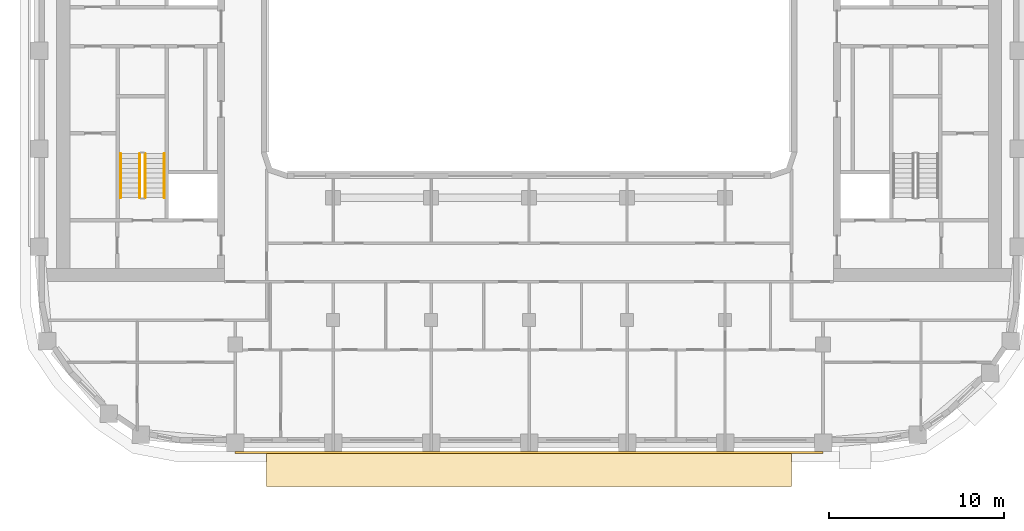
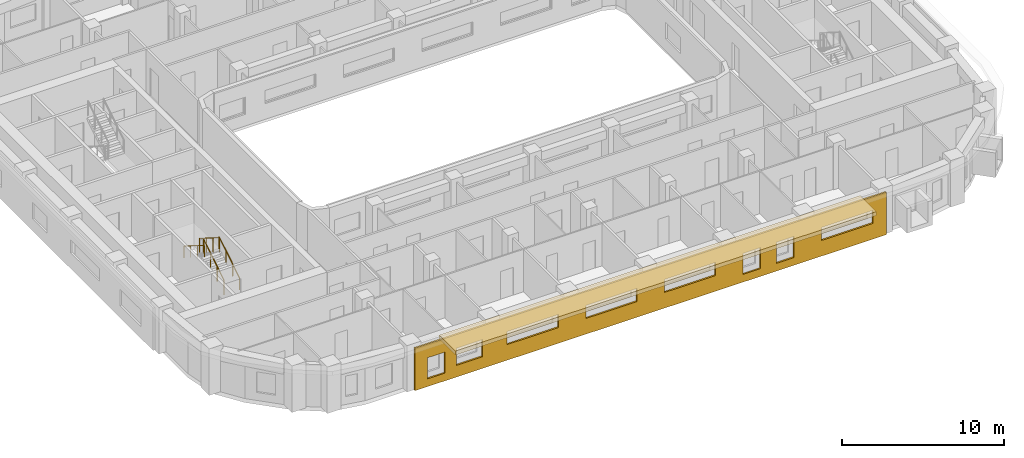
# One storey, part 12 of 22: 4 railings, 2 coverings.
"""IFC4 building model written with IfcOpenShell, lengths in metres."""

from ifc_helpers import new_model, si_unit, direction, frame, origin, origin_2d, place, context, subcontext, project, spatial, polyline, circle, outline, extrude, material, layer, layer_set, type_object, element, save


model = new_model("IFC4")

# Units and contexts
model_context = context("Model", 3, precision=1e-05, world=origin(), true_north=direction((0.0, 1.0)))
body_context = subcontext(model_context, "Body", "Model", "MODEL_VIEW")
ifc_project = project(units=[si_unit("LENGTHUNIT", "METRE"), si_unit("AREAUNIT", "SQUARE_METRE"), si_unit("VOLUMEUNIT", "CUBIC_METRE"), si_unit("PLANEANGLEUNIT", "RADIAN"), si_unit("MASSUNIT", "GRAM", prefix="KILO")], contexts=[model_context])

# Site, building, storey
site_placement = place(None, origin())
site = spatial("IfcSite", under=ifc_project, at=site_placement, CompositionType="ELEMENT")
building_placement = place(site_placement, origin())
building = spatial("IfcBuilding", under=site, at=building_placement, Name="Kiln Ring Residences", CompositionType="ELEMENT")
storey_placement = place(building_placement, frame((0.0, 0.0, 164.10009765625)))
storey = spatial("IfcBuildingStorey", under=building, at=storey_placement, Name="L42", CompositionType="ELEMENT", Elevation=164.10009765625)

# Railings
ifc_material_1 = material(Name="Stainless steel", Category="steel")
railing_type_1 = type_object("IfcRailingType", Name="CORE-STAIR-GUARD", PredefinedType="GUARDRAIL", material=ifc_material_1)
railing_1_placement = place(storey_placement, frame((-21.949951171875, -8.39990234375, 0.1748046875)))
element("IfcRailing", 1, at=railing_1_placement, inside=storey, type_object=railing_type_1, Name="L42 W-STS stair guard 1", PredefinedType="GUARDRAIL", context=body_context, shape_type="SweptSolid", body=[
    extrude(circle(Radius=0.02392578125, at=origin_2d()), frame((0.0, 0.0, 1.076171875), z_axis=(0.0, 0.847970611238, 0.530043245855), x_axis=(-1.0, 0.0, 0.0)), (0.0, 0.0, 1.0), 2.971923828125),
    extrude(circle(Radius=0.02099609375, at=origin_2d()), origin(), (0.0, 0.0, 1.0), 1.052001953125),
    extrude(circle(Radius=0.02099609375, at=origin_2d()), frame((0.0, 0.840087890625, 0.525146484375)), (0.0, 0.0, 1.0), 1.052001953125),
    extrude(circle(Radius=0.02099609375, at=origin_2d()), frame((0.0, 1.679931640625, 1.050048828125)), (0.0, 0.0, 1.0), 1.052001953125),
    extrude(circle(Radius=0.02099609375, at=origin_2d()), frame((0.0, 2.52001953125, 1.5751953125)), (0.0, 0.0, 1.0), 1.052001953125),
])
railing_2_placement = place(storey_placement, frame((-22.25, -5.8798828125, 1.9248046875)))
element("IfcRailing", 2, at=railing_2_placement, inside=storey, type_object=railing_type_1, Name="L42 W-STS stair guard 3", PredefinedType="GUARDRAIL", context=body_context, shape_type="SweptSolid", body=[
    extrude(circle(Radius=0.02392578125, at=origin_2d()), frame((0.0, 0.0, 1.076171875), z_axis=(0.0, -0.847970611238, 0.530043245855), x_axis=(1.0, 0.0, 0.0)), (0.0, 0.0, 1.0), 2.971923828125),
    extrude(circle(Radius=0.02099609375, at=origin_2d()), origin(), (0.0, 0.0, 1.0), 1.052001953125),
    extrude(circle(Radius=0.02099609375, at=origin_2d()), frame((0.0, -0.840087890625, 0.525146484375)), (0.0, 0.0, 1.0), 1.052001953125),
    extrude(circle(Radius=0.02099609375, at=origin_2d()), frame((0.0, -1.679931640625, 1.050048828125)), (0.0, 0.0, 1.0), 1.052001953125),
    extrude(circle(Radius=0.02099609375, at=origin_2d()), frame((0.0, -2.52001953125, 1.5751953125)), (0.0, 0.0, 1.0), 1.052001953125),
])
ifc_material_2 = material(Name="Stainless steel", Category="steel")
railing_type_2 = type_object("IfcRailingType", Name="CORE-STAIR-HANDRAIL", PredefinedType="HANDRAIL", material=ifc_material_2)
railing_3_placement = place(storey_placement, frame((-20.85009765625, -8.39990234375, 0.1748046875)))
element("IfcRailing", 3, at=railing_3_placement, inside=storey, type_object=railing_type_2, Name="L42 W-STS stair handrail 1", PredefinedType="HANDRAIL", context=body_context, shape_type="SweptSolid", body=[
    extrude(circle(Radius=0.02392578125, at=origin_2d()), frame((0.0, 0.0, 0.8759765625), z_axis=(0.0, 0.847970611238, 0.530043245855), x_axis=(-1.0, 0.0, 0.0)), (0.0, 0.0, 1.0), 2.971923828125),
    extrude(circle(Radius=0.02099609375, at=origin_2d()), origin(), (0.0, 0.0, 1.0), 0.851806640625),
    extrude(circle(Radius=0.02099609375, at=origin_2d()), frame((0.0, 0.840087890625, 0.525146484375)), (0.0, 0.0, 1.0), 0.851806640625),
    extrude(circle(Radius=0.02099609375, at=origin_2d()), frame((0.0, 1.679931640625, 1.050048828125)), (0.0, 0.0, 1.0), 0.851806640625),
    extrude(circle(Radius=0.02099609375, at=origin_2d()), frame((0.0, 2.52001953125, 1.5751953125)), (0.0, 0.0, 1.0), 0.851806640625),
])
railing_4_placement = place(storey_placement, frame((-23.35009765625, -5.8798828125, 1.9248046875)))
element("IfcRailing", 4, at=railing_4_placement, inside=storey, type_object=railing_type_2, Name="L42 W-STS stair handrail 2", PredefinedType="HANDRAIL", context=body_context, shape_type="SweptSolid", body=[
    extrude(circle(Radius=0.02392578125, at=origin_2d()), frame((0.0, 0.0, 0.8759765625), z_axis=(0.0, -0.847970611238, 0.530043245855), x_axis=(1.0, 0.0, 0.0)), (0.0, 0.0, 1.0), 2.971923828125),
    extrude(circle(Radius=0.02099609375, at=origin_2d()), origin(), (0.0, 0.0, 1.0), 0.851806640625),
    extrude(circle(Radius=0.02099609375, at=origin_2d()), frame((0.0, -0.840087890625, 0.525146484375)), (0.0, 0.0, 1.0), 0.851806640625),
    extrude(circle(Radius=0.02099609375, at=origin_2d()), frame((0.0, -1.679931640625, 1.050048828125)), (0.0, 0.0, 1.0), 0.851806640625),
    extrude(circle(Radius=0.02099609375, at=origin_2d()), frame((0.0, -2.52001953125, 1.5751953125)), (0.0, 0.0, 1.0), 0.851806640625),
])

# Coverings
ifc_material_3 = material(Name="Brick masonry, dark clay brick", Category="masonry")
ifc_layer_1 = layer(ifc_material_3, 0.1201171875)
ifc_layer_set_1 = layer_set([ifc_layer_1], Name="RAINSCREEN PANEL 120")
covering_type_1 = type_object("IfcCoveringType", Name="RAINSCREEN PANEL 120", PredefinedType="CLADDING", material=ifc_layer_set_1)
covering_1_placement = place(storey_placement, frame((-16.800048828125, -22.9599609375, 0.0), z_axis=(0.0, 0.0, 1.0), x_axis=(1.0, 0.0, 0.0)))
element("IfcCovering", 5, at=covering_1_placement, inside=storey, type_object=covering_type_1, Name="RAINSCREEN L42", PredefinedType="CLADDING", context=body_context, shape_type="SweptSolid", body=[
    extrude(outline(polyline([(0.0, 0.0), (33.60009765625, 0.0), (33.60009765625, 3.199951171875), (0.0, 3.199951171875), (0.0, 0.0)]), holes=[polyline([(0.892578125, 0.579833984375), (2.132568359375, 0.579833984375), (2.132568359375, 2.169921875), (0.892578125, 2.169921875), (0.892578125, 0.579833984375)]), polyline([(23.392578125, 0.579833984375), (24.632568359375, 0.579833984375), (24.632568359375, 2.169921875), (23.392578125, 2.169921875), (23.392578125, 0.579833984375)]), polyline([(25.767578125, 0.579833984375), (27.007568359375, 0.579833984375), (27.007568359375, 2.169921875), (25.767578125, 2.169921875), (25.767578125, 0.579833984375)]), polyline([(2.967529296875, 0.8798828125), (4.8076171875, 0.8798828125), (4.8076171875, 2.169921875), (2.967529296875, 2.169921875), (2.967529296875, 0.8798828125)]), polyline([(6.580078125, 1.179931640625), (10.219970703125, 1.179931640625), (10.219970703125, 2.169921875), (6.580078125, 2.169921875), (6.580078125, 1.179931640625)]), polyline([(12.179931640625, 1.179931640625), (15.820068359375, 1.179931640625), (15.820068359375, 2.169921875), (12.179931640625, 2.169921875), (12.179931640625, 1.179931640625)]), polyline([(17.780029296875, 1.179931640625), (21.419921875, 1.179931640625), (21.419921875, 2.169921875), (17.780029296875, 2.169921875), (17.780029296875, 1.179931640625)]), polyline([(28.97998046875, 1.179931640625), (32.6201171875, 1.179931640625), (32.6201171875, 2.169921875), (28.97998046875, 2.169921875), (28.97998046875, 1.179931640625)])]), frame((0.0, 0.06005859375, 0.0), z_axis=(0.0, -1.0, 0.0), x_axis=(1.0, 0.0, 0.0)), (0.0, 0.0, 1.0), 0.1201171875),
])
ifc_material_4 = material(Name="Black powder-coated steel", Category="steel")
ifc_layer_2 = layer(ifc_material_4, 0.300048828125)
ifc_layer_set_2 = layer_set([ifc_layer_2], Name="SUNSHADE BAND 2000")
covering_type_2 = type_object("IfcCoveringType", Name="SUNSHADE BAND 2000", PredefinedType="CLADDING", material=ifc_layer_set_2)
covering_2_placement = place(storey_placement, frame((0.0, 0.0, 3.199951171875)))
element("IfcCovering", 6, at=covering_2_placement, inside=storey, type_object=covering_type_2, Name="SUNSHADE BAND L42", PredefinedType="CLADDING", context=body_context, shape_type="SweptSolid", body=[
    extrude(outline(polyline([(-15.0, -24.89990234375), (15.0, -24.89990234375), (15.0, -22.89990234375), (-15.0, -22.89990234375), (-15.0, -24.89990234375)])), origin(), (0.0, 0.0, 1.0), 0.300048828125),
])

save(model, "model.ifc")
